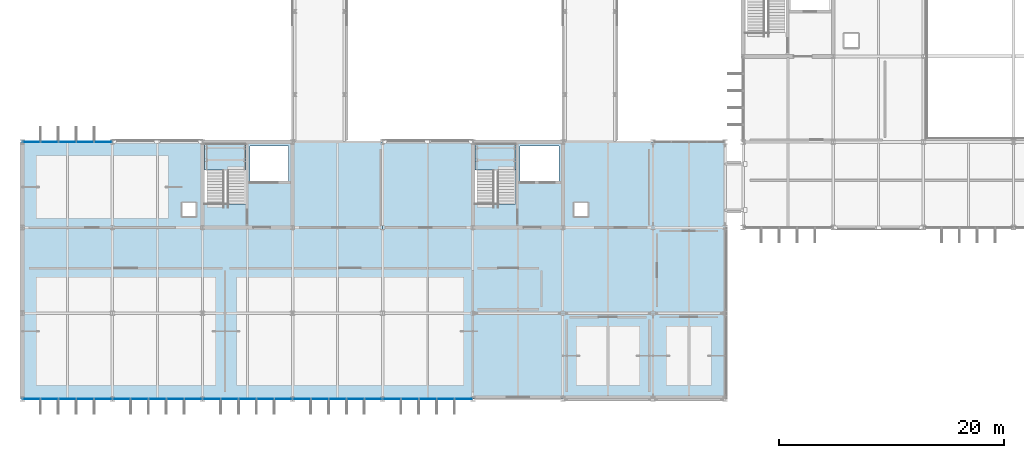
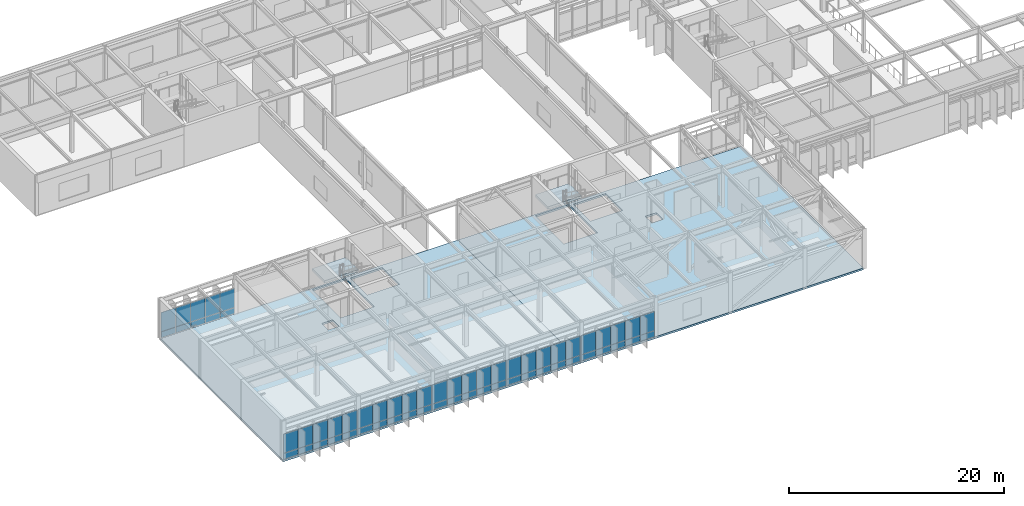
# One storey, part 69 of 104: 60 plates, 4 slabs, 8 elements without a shape of their own.
"""IFC4 building model written with IfcOpenShell, lengths in metres."""

from ifc_helpers import new_model, si_unit, direction, frame, origin, origin_2d, place, context, subcontext, project, spatial, polyline, rectangle, outline, extrude, material, layer, layer_set, type_object, element, aggregate, save


model = new_model("IFC4")

# Units and contexts
model_context = context("Model", 3, precision=1e-05, world=origin(), true_north=direction((0.0, 1.0)))
body_context = subcontext(model_context, "Body", "Model", "MODEL_VIEW")
ifc_project = project(units=[si_unit("LENGTHUNIT", "METRE"), si_unit("AREAUNIT", "SQUARE_METRE"), si_unit("VOLUMEUNIT", "CUBIC_METRE"), si_unit("PLANEANGLEUNIT", "RADIAN"), si_unit("MASSUNIT", "GRAM", prefix="KILO")], contexts=[model_context])

# Site, building, storey
site_placement = place(None, origin())
site = spatial("IfcSite", under=ifc_project, at=site_placement, CompositionType="ELEMENT")
building_placement = place(site_placement, origin())
building = spatial("IfcBuilding", under=site, at=building_placement, Name="Zulena Civic Courthouse", CompositionType="ELEMENT")
storey_placement = place(building_placement, frame((0.0, 0.0, 15.60009765625)))
storey = spatial("IfcBuildingStorey", under=building, at=storey_placement, Name="L03", CompositionType="ELEMENT", Elevation=15.60009765625)

# Curtain wall, plates
ifc_material_1 = material(Name="Double-silver low-E laminated solar-control glass", Category="glass")
curtain_wall_type = type_object("IfcCurtainWallType", Name="CW_7928x3490", PredefinedType="USERDEFINED", material=ifc_material_1)
curtain_wall_1_placement = place(storey_placement, origin())
curtain_wall_1 = element("IfcCurtainWall", 1, at=curtain_wall_1_placement, inside=storey, type_object=curtain_wall_type, Name="cw:V2:L03:1:0", ObjectType="UNITISED CURTAIN WALL", PredefinedType="USERDEFINED")
ifc_material_2 = material(Name="Ceramic-fritted insulated spandrel glass", Category="glass")
ifc_layer_1 = layer(ifc_material_2, 0.0458984375)
ifc_layer_set_1 = layer_set([ifc_layer_1], Name="Ceramic-fritted insulated spandrel glass")
plate_type_1 = type_object("IfcPlateType", Name="CWPanel_Spandrel_46", PredefinedType="CURTAIN_PANEL", material=ifc_layer_set_1)
plate_1_placement = place(storey_placement, frame((4.828857421875, 22.800048828125, 0.06982421875), z_axis=(0.0, 0.0, 1.0), x_axis=(1.0, 0.0, 0.0)))
plate_1 = element("IfcPlate", 2, at=plate_1_placement, type_object=plate_type_1, Name="cw:V2:L03:1:0:panS:0", PredefinedType="CURTAIN_PANEL", context=body_context, shape_type="SweptSolid", body=[
    extrude(rectangle(XDim=1.535888671875, YDim=0.0458984375, at=origin_2d()), origin(), (0.0, 0.0, 1.0), 0.669921875),
])
plate_2_placement = place(storey_placement, frame((6.414306640625, 22.800048828125, 0.06982421875), z_axis=(0.0, 0.0, 1.0), x_axis=(1.0, 0.0, 0.0)))
plate_2 = element("IfcPlate", 3, at=plate_2_placement, type_object=plate_type_1, Name="cw:V2:L03:1:0:panS:1", PredefinedType="CURTAIN_PANEL", context=body_context, shape_type="SweptSolid", body=[
    extrude(rectangle(XDim=1.535888671875, YDim=0.0458984375, at=origin_2d()), origin(), (0.0, 0.0, 1.0), 0.669921875),
])
plate_3_placement = place(storey_placement, frame((8.0, 22.800048828125, 0.06982421875), z_axis=(0.0, 0.0, 1.0), x_axis=(1.0, 0.0, 0.0)))
plate_3 = element("IfcPlate", 4, at=plate_3_placement, type_object=plate_type_1, Name="cw:V2:L03:1:0:panS:2", PredefinedType="CURTAIN_PANEL", context=body_context, shape_type="SweptSolid", body=[
    extrude(rectangle(XDim=1.535888671875, YDim=0.0458984375, at=origin_2d()), origin(), (0.0, 0.0, 1.0), 0.669921875),
])
plate_4_placement = place(storey_placement, frame((9.585693359375, 22.800048828125, 0.06982421875), z_axis=(0.0, 0.0, 1.0), x_axis=(1.0, 0.0, 0.0)))
plate_4 = element("IfcPlate", 5, at=plate_4_placement, type_object=plate_type_1, Name="cw:V2:L03:1:0:panS:3", PredefinedType="CURTAIN_PANEL", context=body_context, shape_type="SweptSolid", body=[
    extrude(rectangle(XDim=1.535888671875, YDim=0.0458984375, at=origin_2d()), origin(), (0.0, 0.0, 1.0), 0.669921875),
])
plate_5_placement = place(storey_placement, frame((11.171142578125, 22.800048828125, 0.06982421875), z_axis=(0.0, 0.0, 1.0), x_axis=(1.0, 0.0, 0.0)))
plate_5 = element("IfcPlate", 6, at=plate_5_placement, type_object=plate_type_1, Name="cw:V2:L03:1:0:panS:4", PredefinedType="CURTAIN_PANEL", context=body_context, shape_type="SweptSolid", body=[
    extrude(rectangle(XDim=1.535888671875, YDim=0.0458984375, at=origin_2d()), origin(), (0.0, 0.0, 1.0), 0.669921875),
])

curtain_wall_2_placement = place(storey_placement, origin())
curtain_wall_2 = element("IfcCurtainWall", 7, at=curtain_wall_2_placement, inside=storey, type_object=curtain_wall_type, Name="cw:V2:L03:3:3", ObjectType="UNITISED CURTAIN WALL", PredefinedType="USERDEFINED")
plate_6_placement = place(storey_placement, frame((43.171142578125, 0.0, 0.06982421875), z_axis=(0.0, 0.0, 1.0), x_axis=(-1.0, 0.0, 0.0)))
plate_6 = element("IfcPlate", 8, at=plate_6_placement, type_object=plate_type_1, Name="cw:V2:L03:3:3:panS:0", PredefinedType="CURTAIN_PANEL", context=body_context, shape_type="SweptSolid", body=[
    extrude(rectangle(XDim=1.535888671875, YDim=0.0458984375, at=origin_2d()), origin(), (0.0, 0.0, 1.0), 0.669921875),
])
plate_7_placement = place(storey_placement, frame((41.585693359375, 0.0, 0.06982421875), z_axis=(0.0, 0.0, 1.0), x_axis=(-1.0, 0.0, 0.0)))
plate_7 = element("IfcPlate", 9, at=plate_7_placement, type_object=plate_type_1, Name="cw:V2:L03:3:3:panS:1", PredefinedType="CURTAIN_PANEL", context=body_context, shape_type="SweptSolid", body=[
    extrude(rectangle(XDim=1.535888671875, YDim=0.0458984375, at=origin_2d()), origin(), (0.0, 0.0, 1.0), 0.669921875),
])
plate_8_placement = place(storey_placement, frame((40.0, 0.0, 0.06982421875), z_axis=(0.0, 0.0, 1.0), x_axis=(-1.0, 0.0, 0.0)))
plate_8 = element("IfcPlate", 10, at=plate_8_placement, type_object=plate_type_1, Name="cw:V2:L03:3:3:panS:2", PredefinedType="CURTAIN_PANEL", context=body_context, shape_type="SweptSolid", body=[
    extrude(rectangle(XDim=1.535888671875, YDim=0.0458984375, at=origin_2d()), origin(), (0.0, 0.0, 1.0), 0.669921875),
])
plate_9_placement = place(storey_placement, frame((38.414306640625, 0.0, 0.06982421875), z_axis=(0.0, 0.0, 1.0), x_axis=(-1.0, 0.0, 0.0)))
plate_9 = element("IfcPlate", 11, at=plate_9_placement, type_object=plate_type_1, Name="cw:V2:L03:3:3:panS:3", PredefinedType="CURTAIN_PANEL", context=body_context, shape_type="SweptSolid", body=[
    extrude(rectangle(XDim=1.535888671875, YDim=0.0458984375, at=origin_2d()), origin(), (0.0, 0.0, 1.0), 0.669921875),
])
plate_10_placement = place(storey_placement, frame((36.828857421875, 0.0, 0.06982421875), z_axis=(0.0, 0.0, 1.0), x_axis=(-1.0, 0.0, 0.0)))
plate_10 = element("IfcPlate", 12, at=plate_10_placement, type_object=plate_type_1, Name="cw:V2:L03:3:3:panS:4", PredefinedType="CURTAIN_PANEL", context=body_context, shape_type="SweptSolid", body=[
    extrude(rectangle(XDim=1.535888671875, YDim=0.0458984375, at=origin_2d()), origin(), (0.0, 0.0, 1.0), 0.669921875),
])

curtain_wall_3_placement = place(storey_placement, origin())
curtain_wall_3 = element("IfcCurtainWall", 13, at=curtain_wall_3_placement, inside=storey, type_object=curtain_wall_type, Name="cw:V2:L03:3:4", ObjectType="UNITISED CURTAIN WALL", PredefinedType="USERDEFINED")
plate_11_placement = place(storey_placement, frame((35.171142578125, 0.0, 0.06982421875), z_axis=(0.0, 0.0, 1.0), x_axis=(-1.0, 0.0, 0.0)))
plate_11 = element("IfcPlate", 14, at=plate_11_placement, type_object=plate_type_1, Name="cw:V2:L03:3:4:panS:0", PredefinedType="CURTAIN_PANEL", context=body_context, shape_type="SweptSolid", body=[
    extrude(rectangle(XDim=1.535888671875, YDim=0.0458984375, at=origin_2d()), origin(), (0.0, 0.0, 1.0), 0.669921875),
])
plate_12_placement = place(storey_placement, frame((33.585693359375, 0.0, 0.06982421875), z_axis=(0.0, 0.0, 1.0), x_axis=(-1.0, 0.0, 0.0)))
plate_12 = element("IfcPlate", 15, at=plate_12_placement, type_object=plate_type_1, Name="cw:V2:L03:3:4:panS:1", PredefinedType="CURTAIN_PANEL", context=body_context, shape_type="SweptSolid", body=[
    extrude(rectangle(XDim=1.535888671875, YDim=0.0458984375, at=origin_2d()), origin(), (0.0, 0.0, 1.0), 0.669921875),
])
plate_13_placement = place(storey_placement, frame((32.0, 0.0, 0.06982421875), z_axis=(0.0, 0.0, 1.0), x_axis=(-1.0, 0.0, 0.0)))
plate_13 = element("IfcPlate", 16, at=plate_13_placement, type_object=plate_type_1, Name="cw:V2:L03:3:4:panS:2", PredefinedType="CURTAIN_PANEL", context=body_context, shape_type="SweptSolid", body=[
    extrude(rectangle(XDim=1.535888671875, YDim=0.0458984375, at=origin_2d()), origin(), (0.0, 0.0, 1.0), 0.669921875),
])
plate_14_placement = place(storey_placement, frame((30.414306640625, 0.0, 0.06982421875), z_axis=(0.0, 0.0, 1.0), x_axis=(-1.0, 0.0, 0.0)))
plate_14 = element("IfcPlate", 17, at=plate_14_placement, type_object=plate_type_1, Name="cw:V2:L03:3:4:panS:3", PredefinedType="CURTAIN_PANEL", context=body_context, shape_type="SweptSolid", body=[
    extrude(rectangle(XDim=1.535888671875, YDim=0.0458984375, at=origin_2d()), origin(), (0.0, 0.0, 1.0), 0.669921875),
])
plate_15_placement = place(storey_placement, frame((28.828857421875, 0.0, 0.06982421875), z_axis=(0.0, 0.0, 1.0), x_axis=(-1.0, 0.0, 0.0)))
plate_15 = element("IfcPlate", 18, at=plate_15_placement, type_object=plate_type_1, Name="cw:V2:L03:3:4:panS:4", PredefinedType="CURTAIN_PANEL", context=body_context, shape_type="SweptSolid", body=[
    extrude(rectangle(XDim=1.535888671875, YDim=0.0458984375, at=origin_2d()), origin(), (0.0, 0.0, 1.0), 0.669921875),
])

curtain_wall_4_placement = place(storey_placement, origin())
curtain_wall_4 = element("IfcCurtainWall", 19, at=curtain_wall_4_placement, inside=storey, type_object=curtain_wall_type, Name="cw:V2:L03:3:5", ObjectType="UNITISED CURTAIN WALL", PredefinedType="USERDEFINED")
plate_16_placement = place(storey_placement, frame((27.171142578125, 0.0, 0.06982421875), z_axis=(0.0, 0.0, 1.0), x_axis=(-1.0, 0.0, 0.0)))
plate_16 = element("IfcPlate", 20, at=plate_16_placement, type_object=plate_type_1, Name="cw:V2:L03:3:5:panS:0", PredefinedType="CURTAIN_PANEL", context=body_context, shape_type="SweptSolid", body=[
    extrude(rectangle(XDim=1.535888671875, YDim=0.0458984375, at=origin_2d()), origin(), (0.0, 0.0, 1.0), 0.669921875),
])
plate_17_placement = place(storey_placement, frame((25.585693359375, 0.0, 0.06982421875), z_axis=(0.0, 0.0, 1.0), x_axis=(-1.0, 0.0, 0.0)))
plate_17 = element("IfcPlate", 21, at=plate_17_placement, type_object=plate_type_1, Name="cw:V2:L03:3:5:panS:1", PredefinedType="CURTAIN_PANEL", context=body_context, shape_type="SweptSolid", body=[
    extrude(rectangle(XDim=1.535888671875, YDim=0.0458984375, at=origin_2d()), origin(), (0.0, 0.0, 1.0), 0.669921875),
])
plate_18_placement = place(storey_placement, frame((24.0, 0.0, 0.06982421875), z_axis=(0.0, 0.0, 1.0), x_axis=(-1.0, 0.0, 0.0)))
plate_18 = element("IfcPlate", 22, at=plate_18_placement, type_object=plate_type_1, Name="cw:V2:L03:3:5:panS:2", PredefinedType="CURTAIN_PANEL", context=body_context, shape_type="SweptSolid", body=[
    extrude(rectangle(XDim=1.535888671875, YDim=0.0458984375, at=origin_2d()), origin(), (0.0, 0.0, 1.0), 0.669921875),
])
plate_19_placement = place(storey_placement, frame((22.414306640625, 0.0, 0.06982421875), z_axis=(0.0, 0.0, 1.0), x_axis=(-1.0, 0.0, 0.0)))
plate_19 = element("IfcPlate", 23, at=plate_19_placement, type_object=plate_type_1, Name="cw:V2:L03:3:5:panS:3", PredefinedType="CURTAIN_PANEL", context=body_context, shape_type="SweptSolid", body=[
    extrude(rectangle(XDim=1.535888671875, YDim=0.0458984375, at=origin_2d()), origin(), (0.0, 0.0, 1.0), 0.669921875),
])
plate_20_placement = place(storey_placement, frame((20.828857421875, 0.0, 0.06982421875), z_axis=(0.0, 0.0, 1.0), x_axis=(-1.0, 0.0, 0.0)))
plate_20 = element("IfcPlate", 24, at=plate_20_placement, type_object=plate_type_1, Name="cw:V2:L03:3:5:panS:4", PredefinedType="CURTAIN_PANEL", context=body_context, shape_type="SweptSolid", body=[
    extrude(rectangle(XDim=1.535888671875, YDim=0.0458984375, at=origin_2d()), origin(), (0.0, 0.0, 1.0), 0.669921875),
])

curtain_wall_5_placement = place(storey_placement, origin())
curtain_wall_5 = element("IfcCurtainWall", 25, at=curtain_wall_5_placement, inside=storey, type_object=curtain_wall_type, Name="cw:V2:L03:3:6", ObjectType="UNITISED CURTAIN WALL", PredefinedType="USERDEFINED")
plate_21_placement = place(storey_placement, frame((19.171142578125, 0.0, 0.06982421875), z_axis=(0.0, 0.0, 1.0), x_axis=(-1.0, 0.0, 0.0)))
plate_21 = element("IfcPlate", 26, at=plate_21_placement, type_object=plate_type_1, Name="cw:V2:L03:3:6:panS:0", PredefinedType="CURTAIN_PANEL", context=body_context, shape_type="SweptSolid", body=[
    extrude(rectangle(XDim=1.535888671875, YDim=0.0458984375, at=origin_2d()), origin(), (0.0, 0.0, 1.0), 0.669921875),
])
plate_22_placement = place(storey_placement, frame((17.585693359375, 0.0, 0.06982421875), z_axis=(0.0, 0.0, 1.0), x_axis=(-1.0, 0.0, 0.0)))
plate_22 = element("IfcPlate", 27, at=plate_22_placement, type_object=plate_type_1, Name="cw:V2:L03:3:6:panS:1", PredefinedType="CURTAIN_PANEL", context=body_context, shape_type="SweptSolid", body=[
    extrude(rectangle(XDim=1.535888671875, YDim=0.0458984375, at=origin_2d()), origin(), (0.0, 0.0, 1.0), 0.669921875),
])
plate_23_placement = place(storey_placement, frame((16.0, 0.0, 0.06982421875), z_axis=(0.0, 0.0, 1.0), x_axis=(-1.0, 0.0, 0.0)))
plate_23 = element("IfcPlate", 28, at=plate_23_placement, type_object=plate_type_1, Name="cw:V2:L03:3:6:panS:2", PredefinedType="CURTAIN_PANEL", context=body_context, shape_type="SweptSolid", body=[
    extrude(rectangle(XDim=1.535888671875, YDim=0.0458984375, at=origin_2d()), origin(), (0.0, 0.0, 1.0), 0.669921875),
])
plate_24_placement = place(storey_placement, frame((14.414306640625, 0.0, 0.06982421875), z_axis=(0.0, 0.0, 1.0), x_axis=(-1.0, 0.0, 0.0)))
plate_24 = element("IfcPlate", 29, at=plate_24_placement, type_object=plate_type_1, Name="cw:V2:L03:3:6:panS:3", PredefinedType="CURTAIN_PANEL", context=body_context, shape_type="SweptSolid", body=[
    extrude(rectangle(XDim=1.535888671875, YDim=0.0458984375, at=origin_2d()), origin(), (0.0, 0.0, 1.0), 0.669921875),
])
plate_25_placement = place(storey_placement, frame((12.828857421875, 0.0, 0.06982421875), z_axis=(0.0, 0.0, 1.0), x_axis=(-1.0, 0.0, 0.0)))
plate_25 = element("IfcPlate", 30, at=plate_25_placement, type_object=plate_type_1, Name="cw:V2:L03:3:6:panS:4", PredefinedType="CURTAIN_PANEL", context=body_context, shape_type="SweptSolid", body=[
    extrude(rectangle(XDim=1.535888671875, YDim=0.0458984375, at=origin_2d()), origin(), (0.0, 0.0, 1.0), 0.669921875),
])

curtain_wall_6_placement = place(storey_placement, origin())
curtain_wall_6 = element("IfcCurtainWall", 31, at=curtain_wall_6_placement, inside=storey, type_object=curtain_wall_type, Name="cw:V2:L03:3:7", ObjectType="UNITISED CURTAIN WALL", PredefinedType="USERDEFINED")
plate_26_placement = place(storey_placement, frame((11.171142578125, 0.0, 0.06982421875), z_axis=(0.0, 0.0, 1.0), x_axis=(-1.0, 0.0, 0.0)))
plate_26 = element("IfcPlate", 32, at=plate_26_placement, type_object=plate_type_1, Name="cw:V2:L03:3:7:panS:0", PredefinedType="CURTAIN_PANEL", context=body_context, shape_type="SweptSolid", body=[
    extrude(rectangle(XDim=1.535888671875, YDim=0.0458984375, at=origin_2d()), origin(), (0.0, 0.0, 1.0), 0.669921875),
])
plate_27_placement = place(storey_placement, frame((9.585693359375, 0.0, 0.06982421875), z_axis=(0.0, 0.0, 1.0), x_axis=(-1.0, 0.0, 0.0)))
plate_27 = element("IfcPlate", 33, at=plate_27_placement, type_object=plate_type_1, Name="cw:V2:L03:3:7:panS:1", PredefinedType="CURTAIN_PANEL", context=body_context, shape_type="SweptSolid", body=[
    extrude(rectangle(XDim=1.535888671875, YDim=0.0458984375, at=origin_2d()), origin(), (0.0, 0.0, 1.0), 0.669921875),
])
plate_28_placement = place(storey_placement, frame((8.0, 0.0, 0.06982421875), z_axis=(0.0, 0.0, 1.0), x_axis=(-1.0, 0.0, 0.0)))
plate_28 = element("IfcPlate", 34, at=plate_28_placement, type_object=plate_type_1, Name="cw:V2:L03:3:7:panS:2", PredefinedType="CURTAIN_PANEL", context=body_context, shape_type="SweptSolid", body=[
    extrude(rectangle(XDim=1.535888671875, YDim=0.0458984375, at=origin_2d()), origin(), (0.0, 0.0, 1.0), 0.669921875),
])
plate_29_placement = place(storey_placement, frame((6.414306640625, 0.0, 0.06982421875), z_axis=(0.0, 0.0, 1.0), x_axis=(-1.0, 0.0, 0.0)))
plate_29 = element("IfcPlate", 35, at=plate_29_placement, type_object=plate_type_1, Name="cw:V2:L03:3:7:panS:3", PredefinedType="CURTAIN_PANEL", context=body_context, shape_type="SweptSolid", body=[
    extrude(rectangle(XDim=1.535888671875, YDim=0.0458984375, at=origin_2d()), origin(), (0.0, 0.0, 1.0), 0.669921875),
])
plate_30_placement = place(storey_placement, frame((4.828857421875, 0.0, 0.06982421875), z_axis=(0.0, 0.0, 1.0), x_axis=(-1.0, 0.0, 0.0)))
plate_30 = element("IfcPlate", 36, at=plate_30_placement, type_object=plate_type_1, Name="cw:V2:L03:3:7:panS:4", PredefinedType="CURTAIN_PANEL", context=body_context, shape_type="SweptSolid", body=[
    extrude(rectangle(XDim=1.535888671875, YDim=0.0458984375, at=origin_2d()), origin(), (0.0, 0.0, 1.0), 0.669921875),
])

# Plate
ifc_layer_2 = layer(ifc_material_1, 0.035888671875)
ifc_layer_set_2 = layer_set([ifc_layer_2], Name="Double-silver low-E laminated solar-control glass")
plate_type_2 = type_object("IfcPlateType", Name="CWPanel_Vision_36", PredefinedType="CURTAIN_PANEL", material=ifc_layer_set_2)
plate_31_placement = place(storey_placement, frame((4.828857421875, 22.800048828125, 0.760009765625), z_axis=(0.0, 0.0, 1.0), x_axis=(1.0, 0.0, 0.0)))
plate_31 = element("IfcPlate", 37, at=plate_31_placement, type_object=plate_type_2, Name="cw:V2:L03:1:0:panV:0", PredefinedType="CURTAIN_PANEL", context=body_context, shape_type="SweptSolid", body=[
    extrude(rectangle(XDim=1.535888671875, YDim=0.035888671875, at=origin_2d()), origin(), (0.0, 0.0, 1.0), 2.169921875),
])

plate_32_placement = place(storey_placement, frame((6.414306640625, 22.800048828125, 0.760009765625), z_axis=(0.0, 0.0, 1.0), x_axis=(1.0, 0.0, 0.0)))
plate_32 = element("IfcPlate", 38, at=plate_32_placement, type_object=plate_type_2, Name="cw:V2:L03:1:0:panV:1", PredefinedType="CURTAIN_PANEL", context=body_context, shape_type="SweptSolid", body=[
    extrude(rectangle(XDim=1.535888671875, YDim=0.035888671875, at=origin_2d()), origin(), (0.0, 0.0, 1.0), 2.169921875),
])

plate_33_placement = place(storey_placement, frame((8.0, 22.800048828125, 0.760009765625), z_axis=(0.0, 0.0, 1.0), x_axis=(1.0, 0.0, 0.0)))
plate_33 = element("IfcPlate", 39, at=plate_33_placement, type_object=plate_type_2, Name="cw:V2:L03:1:0:panV:2", PredefinedType="CURTAIN_PANEL", context=body_context, shape_type="SweptSolid", body=[
    extrude(rectangle(XDim=1.535888671875, YDim=0.035888671875, at=origin_2d()), origin(), (0.0, 0.0, 1.0), 2.169921875),
])

plate_34_placement = place(storey_placement, frame((9.585693359375, 22.800048828125, 0.760009765625), z_axis=(0.0, 0.0, 1.0), x_axis=(1.0, 0.0, 0.0)))
plate_34 = element("IfcPlate", 40, at=plate_34_placement, type_object=plate_type_2, Name="cw:V2:L03:1:0:panV:3", PredefinedType="CURTAIN_PANEL", context=body_context, shape_type="SweptSolid", body=[
    extrude(rectangle(XDim=1.535888671875, YDim=0.035888671875, at=origin_2d()), origin(), (0.0, 0.0, 1.0), 2.169921875),
])

plate_35_placement = place(storey_placement, frame((11.171142578125, 22.800048828125, 0.760009765625), z_axis=(0.0, 0.0, 1.0), x_axis=(1.0, 0.0, 0.0)))
plate_35 = element("IfcPlate", 41, at=plate_35_placement, type_object=plate_type_2, Name="cw:V2:L03:1:0:panV:4", PredefinedType="CURTAIN_PANEL", context=body_context, shape_type="SweptSolid", body=[
    extrude(rectangle(XDim=1.535888671875, YDim=0.035888671875, at=origin_2d()), origin(), (0.0, 0.0, 1.0), 2.169921875),
])

aggregate(curtain_wall_1, [plate_31, plate_1, plate_32, plate_2, plate_33, plate_3, plate_34, plate_4, plate_35, plate_5])

plate_36_placement = place(storey_placement, frame((43.171142578125, 0.0, 0.760009765625), z_axis=(0.0, 0.0, 1.0), x_axis=(-1.0, 0.0, 0.0)))
plate_36 = element("IfcPlate", 42, at=plate_36_placement, type_object=plate_type_2, Name="cw:V2:L03:3:3:panV:0", PredefinedType="CURTAIN_PANEL", context=body_context, shape_type="SweptSolid", body=[
    extrude(rectangle(XDim=1.535888671875, YDim=0.035888671875, at=origin_2d()), origin(), (0.0, 0.0, 1.0), 2.169921875),
])

plate_37_placement = place(storey_placement, frame((41.585693359375, 0.0, 0.760009765625), z_axis=(0.0, 0.0, 1.0), x_axis=(-1.0, 0.0, 0.0)))
plate_37 = element("IfcPlate", 43, at=plate_37_placement, type_object=plate_type_2, Name="cw:V2:L03:3:3:panV:1", PredefinedType="CURTAIN_PANEL", context=body_context, shape_type="SweptSolid", body=[
    extrude(rectangle(XDim=1.535888671875, YDim=0.035888671875, at=origin_2d()), origin(), (0.0, 0.0, 1.0), 2.169921875),
])

plate_38_placement = place(storey_placement, frame((40.0, 0.0, 0.760009765625), z_axis=(0.0, 0.0, 1.0), x_axis=(-1.0, 0.0, 0.0)))
plate_38 = element("IfcPlate", 44, at=plate_38_placement, type_object=plate_type_2, Name="cw:V2:L03:3:3:panV:2", PredefinedType="CURTAIN_PANEL", context=body_context, shape_type="SweptSolid", body=[
    extrude(rectangle(XDim=1.535888671875, YDim=0.035888671875, at=origin_2d()), origin(), (0.0, 0.0, 1.0), 2.169921875),
])

plate_39_placement = place(storey_placement, frame((38.414306640625, 0.0, 0.760009765625), z_axis=(0.0, 0.0, 1.0), x_axis=(-1.0, 0.0, 0.0)))
plate_39 = element("IfcPlate", 45, at=plate_39_placement, type_object=plate_type_2, Name="cw:V2:L03:3:3:panV:3", PredefinedType="CURTAIN_PANEL", context=body_context, shape_type="SweptSolid", body=[
    extrude(rectangle(XDim=1.535888671875, YDim=0.035888671875, at=origin_2d()), origin(), (0.0, 0.0, 1.0), 2.169921875),
])

plate_40_placement = place(storey_placement, frame((36.828857421875, 0.0, 0.760009765625), z_axis=(0.0, 0.0, 1.0), x_axis=(-1.0, 0.0, 0.0)))
plate_40 = element("IfcPlate", 46, at=plate_40_placement, type_object=plate_type_2, Name="cw:V2:L03:3:3:panV:4", PredefinedType="CURTAIN_PANEL", context=body_context, shape_type="SweptSolid", body=[
    extrude(rectangle(XDim=1.535888671875, YDim=0.035888671875, at=origin_2d()), origin(), (0.0, 0.0, 1.0), 2.169921875),
])

aggregate(curtain_wall_2, [plate_36, plate_6, plate_37, plate_7, plate_38, plate_8, plate_39, plate_9, plate_40, plate_10])

plate_41_placement = place(storey_placement, frame((35.171142578125, 0.0, 0.760009765625), z_axis=(0.0, 0.0, 1.0), x_axis=(-1.0, 0.0, 0.0)))
plate_41 = element("IfcPlate", 47, at=plate_41_placement, type_object=plate_type_2, Name="cw:V2:L03:3:4:panV:0", PredefinedType="CURTAIN_PANEL", context=body_context, shape_type="SweptSolid", body=[
    extrude(rectangle(XDim=1.535888671875, YDim=0.035888671875, at=origin_2d()), origin(), (0.0, 0.0, 1.0), 2.169921875),
])

plate_42_placement = place(storey_placement, frame((33.585693359375, 0.0, 0.760009765625), z_axis=(0.0, 0.0, 1.0), x_axis=(-1.0, 0.0, 0.0)))
plate_42 = element("IfcPlate", 48, at=plate_42_placement, type_object=plate_type_2, Name="cw:V2:L03:3:4:panV:1", PredefinedType="CURTAIN_PANEL", context=body_context, shape_type="SweptSolid", body=[
    extrude(rectangle(XDim=1.535888671875, YDim=0.035888671875, at=origin_2d()), origin(), (0.0, 0.0, 1.0), 2.169921875),
])

plate_43_placement = place(storey_placement, frame((32.0, 0.0, 0.760009765625), z_axis=(0.0, 0.0, 1.0), x_axis=(-1.0, 0.0, 0.0)))
plate_43 = element("IfcPlate", 49, at=plate_43_placement, type_object=plate_type_2, Name="cw:V2:L03:3:4:panV:2", PredefinedType="CURTAIN_PANEL", context=body_context, shape_type="SweptSolid", body=[
    extrude(rectangle(XDim=1.535888671875, YDim=0.035888671875, at=origin_2d()), origin(), (0.0, 0.0, 1.0), 2.169921875),
])

plate_44_placement = place(storey_placement, frame((30.414306640625, 0.0, 0.760009765625), z_axis=(0.0, 0.0, 1.0), x_axis=(-1.0, 0.0, 0.0)))
plate_44 = element("IfcPlate", 50, at=plate_44_placement, type_object=plate_type_2, Name="cw:V2:L03:3:4:panV:3", PredefinedType="CURTAIN_PANEL", context=body_context, shape_type="SweptSolid", body=[
    extrude(rectangle(XDim=1.535888671875, YDim=0.035888671875, at=origin_2d()), origin(), (0.0, 0.0, 1.0), 2.169921875),
])

plate_45_placement = place(storey_placement, frame((28.828857421875, 0.0, 0.760009765625), z_axis=(0.0, 0.0, 1.0), x_axis=(-1.0, 0.0, 0.0)))
plate_45 = element("IfcPlate", 51, at=plate_45_placement, type_object=plate_type_2, Name="cw:V2:L03:3:4:panV:4", PredefinedType="CURTAIN_PANEL", context=body_context, shape_type="SweptSolid", body=[
    extrude(rectangle(XDim=1.535888671875, YDim=0.035888671875, at=origin_2d()), origin(), (0.0, 0.0, 1.0), 2.169921875),
])

aggregate(curtain_wall_3, [plate_41, plate_11, plate_42, plate_12, plate_43, plate_13, plate_44, plate_14, plate_45, plate_15])

plate_46_placement = place(storey_placement, frame((27.171142578125, 0.0, 0.760009765625), z_axis=(0.0, 0.0, 1.0), x_axis=(-1.0, 0.0, 0.0)))
plate_46 = element("IfcPlate", 52, at=plate_46_placement, type_object=plate_type_2, Name="cw:V2:L03:3:5:panV:0", PredefinedType="CURTAIN_PANEL", context=body_context, shape_type="SweptSolid", body=[
    extrude(rectangle(XDim=1.535888671875, YDim=0.035888671875, at=origin_2d()), origin(), (0.0, 0.0, 1.0), 2.169921875),
])

plate_47_placement = place(storey_placement, frame((25.585693359375, 0.0, 0.760009765625), z_axis=(0.0, 0.0, 1.0), x_axis=(-1.0, 0.0, 0.0)))
plate_47 = element("IfcPlate", 53, at=plate_47_placement, type_object=plate_type_2, Name="cw:V2:L03:3:5:panV:1", PredefinedType="CURTAIN_PANEL", context=body_context, shape_type="SweptSolid", body=[
    extrude(rectangle(XDim=1.535888671875, YDim=0.035888671875, at=origin_2d()), origin(), (0.0, 0.0, 1.0), 2.169921875),
])

plate_48_placement = place(storey_placement, frame((24.0, 0.0, 0.760009765625), z_axis=(0.0, 0.0, 1.0), x_axis=(-1.0, 0.0, 0.0)))
plate_48 = element("IfcPlate", 54, at=plate_48_placement, type_object=plate_type_2, Name="cw:V2:L03:3:5:panV:2", PredefinedType="CURTAIN_PANEL", context=body_context, shape_type="SweptSolid", body=[
    extrude(rectangle(XDim=1.535888671875, YDim=0.035888671875, at=origin_2d()), origin(), (0.0, 0.0, 1.0), 2.169921875),
])

plate_49_placement = place(storey_placement, frame((22.414306640625, 0.0, 0.760009765625), z_axis=(0.0, 0.0, 1.0), x_axis=(-1.0, 0.0, 0.0)))
plate_49 = element("IfcPlate", 55, at=plate_49_placement, type_object=plate_type_2, Name="cw:V2:L03:3:5:panV:3", PredefinedType="CURTAIN_PANEL", context=body_context, shape_type="SweptSolid", body=[
    extrude(rectangle(XDim=1.535888671875, YDim=0.035888671875, at=origin_2d()), origin(), (0.0, 0.0, 1.0), 2.169921875),
])

plate_50_placement = place(storey_placement, frame((20.828857421875, 0.0, 0.760009765625), z_axis=(0.0, 0.0, 1.0), x_axis=(-1.0, 0.0, 0.0)))
plate_50 = element("IfcPlate", 56, at=plate_50_placement, type_object=plate_type_2, Name="cw:V2:L03:3:5:panV:4", PredefinedType="CURTAIN_PANEL", context=body_context, shape_type="SweptSolid", body=[
    extrude(rectangle(XDim=1.535888671875, YDim=0.035888671875, at=origin_2d()), origin(), (0.0, 0.0, 1.0), 2.169921875),
])

aggregate(curtain_wall_4, [plate_46, plate_16, plate_47, plate_17, plate_48, plate_18, plate_49, plate_19, plate_50, plate_20])

plate_51_placement = place(storey_placement, frame((19.171142578125, 0.0, 0.760009765625), z_axis=(0.0, 0.0, 1.0), x_axis=(-1.0, 0.0, 0.0)))
plate_51 = element("IfcPlate", 57, at=plate_51_placement, type_object=plate_type_2, Name="cw:V2:L03:3:6:panV:0", PredefinedType="CURTAIN_PANEL", context=body_context, shape_type="SweptSolid", body=[
    extrude(rectangle(XDim=1.535888671875, YDim=0.035888671875, at=origin_2d()), origin(), (0.0, 0.0, 1.0), 2.169921875),
])

plate_52_placement = place(storey_placement, frame((17.585693359375, 0.0, 0.760009765625), z_axis=(0.0, 0.0, 1.0), x_axis=(-1.0, 0.0, 0.0)))
plate_52 = element("IfcPlate", 58, at=plate_52_placement, type_object=plate_type_2, Name="cw:V2:L03:3:6:panV:1", PredefinedType="CURTAIN_PANEL", context=body_context, shape_type="SweptSolid", body=[
    extrude(rectangle(XDim=1.535888671875, YDim=0.035888671875, at=origin_2d()), origin(), (0.0, 0.0, 1.0), 2.169921875),
])

plate_53_placement = place(storey_placement, frame((16.0, 0.0, 0.760009765625), z_axis=(0.0, 0.0, 1.0), x_axis=(-1.0, 0.0, 0.0)))
plate_53 = element("IfcPlate", 59, at=plate_53_placement, type_object=plate_type_2, Name="cw:V2:L03:3:6:panV:2", PredefinedType="CURTAIN_PANEL", context=body_context, shape_type="SweptSolid", body=[
    extrude(rectangle(XDim=1.535888671875, YDim=0.035888671875, at=origin_2d()), origin(), (0.0, 0.0, 1.0), 2.169921875),
])

plate_54_placement = place(storey_placement, frame((14.414306640625, 0.0, 0.760009765625), z_axis=(0.0, 0.0, 1.0), x_axis=(-1.0, 0.0, 0.0)))
plate_54 = element("IfcPlate", 60, at=plate_54_placement, type_object=plate_type_2, Name="cw:V2:L03:3:6:panV:3", PredefinedType="CURTAIN_PANEL", context=body_context, shape_type="SweptSolid", body=[
    extrude(rectangle(XDim=1.535888671875, YDim=0.035888671875, at=origin_2d()), origin(), (0.0, 0.0, 1.0), 2.169921875),
])

plate_55_placement = place(storey_placement, frame((12.828857421875, 0.0, 0.760009765625), z_axis=(0.0, 0.0, 1.0), x_axis=(-1.0, 0.0, 0.0)))
plate_55 = element("IfcPlate", 61, at=plate_55_placement, type_object=plate_type_2, Name="cw:V2:L03:3:6:panV:4", PredefinedType="CURTAIN_PANEL", context=body_context, shape_type="SweptSolid", body=[
    extrude(rectangle(XDim=1.535888671875, YDim=0.035888671875, at=origin_2d()), origin(), (0.0, 0.0, 1.0), 2.169921875),
])

aggregate(curtain_wall_5, [plate_51, plate_21, plate_52, plate_22, plate_53, plate_23, plate_54, plate_24, plate_55, plate_25])

plate_56_placement = place(storey_placement, frame((11.171142578125, 0.0, 0.760009765625), z_axis=(0.0, 0.0, 1.0), x_axis=(-1.0, 0.0, 0.0)))
plate_56 = element("IfcPlate", 62, at=plate_56_placement, type_object=plate_type_2, Name="cw:V2:L03:3:7:panV:0", PredefinedType="CURTAIN_PANEL", context=body_context, shape_type="SweptSolid", body=[
    extrude(rectangle(XDim=1.535888671875, YDim=0.035888671875, at=origin_2d()), origin(), (0.0, 0.0, 1.0), 2.169921875),
])

plate_57_placement = place(storey_placement, frame((9.585693359375, 0.0, 0.760009765625), z_axis=(0.0, 0.0, 1.0), x_axis=(-1.0, 0.0, 0.0)))
plate_57 = element("IfcPlate", 63, at=plate_57_placement, type_object=plate_type_2, Name="cw:V2:L03:3:7:panV:1", PredefinedType="CURTAIN_PANEL", context=body_context, shape_type="SweptSolid", body=[
    extrude(rectangle(XDim=1.535888671875, YDim=0.035888671875, at=origin_2d()), origin(), (0.0, 0.0, 1.0), 2.169921875),
])

plate_58_placement = place(storey_placement, frame((8.0, 0.0, 0.760009765625), z_axis=(0.0, 0.0, 1.0), x_axis=(-1.0, 0.0, 0.0)))
plate_58 = element("IfcPlate", 64, at=plate_58_placement, type_object=plate_type_2, Name="cw:V2:L03:3:7:panV:2", PredefinedType="CURTAIN_PANEL", context=body_context, shape_type="SweptSolid", body=[
    extrude(rectangle(XDim=1.535888671875, YDim=0.035888671875, at=origin_2d()), origin(), (0.0, 0.0, 1.0), 2.169921875),
])

plate_59_placement = place(storey_placement, frame((6.414306640625, 0.0, 0.760009765625), z_axis=(0.0, 0.0, 1.0), x_axis=(-1.0, 0.0, 0.0)))
plate_59 = element("IfcPlate", 65, at=plate_59_placement, type_object=plate_type_2, Name="cw:V2:L03:3:7:panV:3", PredefinedType="CURTAIN_PANEL", context=body_context, shape_type="SweptSolid", body=[
    extrude(rectangle(XDim=1.535888671875, YDim=0.035888671875, at=origin_2d()), origin(), (0.0, 0.0, 1.0), 2.169921875),
])

plate_60_placement = place(storey_placement, frame((4.828857421875, 0.0, 0.760009765625), z_axis=(0.0, 0.0, 1.0), x_axis=(-1.0, 0.0, 0.0)))
plate_60 = element("IfcPlate", 66, at=plate_60_placement, type_object=plate_type_2, Name="cw:V2:L03:3:7:panV:4", PredefinedType="CURTAIN_PANEL", context=body_context, shape_type="SweptSolid", body=[
    extrude(rectangle(XDim=1.535888671875, YDim=0.035888671875, at=origin_2d()), origin(), (0.0, 0.0, 1.0), 2.169921875),
])

aggregate(curtain_wall_6, [plate_56, plate_26, plate_57, plate_27, plate_58, plate_28, plate_59, plate_29, plate_60, plate_30])

# Slabs
ifc_material_3 = material(Name="Concrete C35/45", Category="concrete")
ifc_layer_3 = layer(ifc_material_3, 0.2099609375)
ifc_layer_set_3 = layer_set([ifc_layer_3], Name="Concrete C35/45")
slab_type_1 = type_object("IfcSlabType", Name="FloorSlab_210", PredefinedType="FLOOR", material=ifc_layer_set_3)
slab_1_placement = place(storey_placement, frame((0.0, 0.0, -0.210205078125)))
element("IfcSlab", 67, at=slab_1_placement, inside=storey, type_object=slab_type_1, Name="slab:V2:L03_1", PredefinedType="FLOOR", context=body_context, shape_type="SweptSolid", body=[
    extrude(outline(polyline([(4.0, 0.0), (4.0, 22.800048828125), (36.0, 22.800048828125), (36.0, 0.0), (4.0, 0.0)]), holes=[polyline([(20.18994140625, 22.610107421875), (20.18994140625, 17.320068359375), (23.81005859375, 17.320068359375), (23.81005859375, 22.610107421875), (20.18994140625, 22.610107421875)]), polyline([(27.64990234375, 22.449951171875), (24.199951171875, 22.449951171875), (24.199951171875, 19.300048828125), (27.64990234375, 19.300048828125), (27.64990234375, 22.449951171875)]), polyline([(18.199951171875, 17.39990234375), (18.199951171875, 16.199951171875), (19.39990234375, 16.199951171875), (19.39990234375, 17.39990234375), (18.199951171875, 17.39990234375)])]), origin(), (0.0, 0.0, 1.0), 0.210205078125),
])
slab_2_placement = place(storey_placement, frame((0.0, 0.0, -0.210205078125)))
element("IfcSlab", 68, at=slab_2_placement, inside=storey, type_object=slab_type_1, Name="slab:V2:L03_2", PredefinedType="FLOOR", context=body_context, shape_type="SweptSolid", body=[
    extrude(outline(polyline([(66.39990234375, 0.0), (36.0, 0.0), (36.0, 22.800048828125), (66.39990234375, 22.800048828125), (66.39990234375, 0.0)]), holes=[polyline([(47.81005859375, 17.320068359375), (47.81005859375, 22.610107421875), (44.18994140625, 22.610107421875), (44.18994140625, 17.320068359375), (47.81005859375, 17.320068359375)]), polyline([(48.199951171875, 19.300048828125), (51.64990234375, 19.300048828125), (51.64990234375, 22.449951171875), (48.199951171875, 22.449951171875), (48.199951171875, 19.300048828125)]), polyline([(54.199951171875, 17.39990234375), (53.0, 17.39990234375), (53.0, 16.199951171875), (54.199951171875, 16.199951171875), (54.199951171875, 17.39990234375)])]), origin(), (0.0, 0.0, 1.0), 0.210205078125),
])

# Stair, slab
ifc_material_4 = material(Name="Precast concrete C40/50", Category="concrete")
stair_type = type_object("IfcStairType", Name="HalfTurnStair_4800", PredefinedType="HALF_TURN_STAIR", material=ifc_material_4)
stair_1_placement = place(storey_placement, origin())
stair_1 = element("IfcStair", 69, at=stair_1_placement, inside=storey, type_object=stair_type, Name="stair:K2A:L03", PredefinedType="HALF_TURN_STAIR")
ifc_layer_4 = layer(ifc_material_4, 0.280029296875)
ifc_layer_set_4 = layer_set([ifc_layer_4], Name="Precast concrete C40/50")
slab_type_2 = type_object("IfcSlabType", Name="StairLandingSlab_280", PredefinedType="LANDING", material=ifc_layer_set_4)
slab_3_placement = place(storey_placement, frame((0.0, 0.0, 2.119873046875)))
slab_3 = element("IfcSlab", 70, at=slab_3_placement, type_object=slab_type_2, Name="stair:K2A:L03:LND", PredefinedType="LANDING", context=body_context, shape_type="SweptSolid", body=[
    extrude(outline(polyline([(20.179931640625, 20.294677734375), (23.820068359375, 20.294677734375), (23.820068359375, 22.6201171875), (20.179931640625, 22.6201171875), (20.179931640625, 20.294677734375)])), origin(), (0.0, 0.0, 1.0), 0.280029296875),
])
aggregate(stair_1, [slab_3])

stair_2_placement = place(storey_placement, origin())
stair_2 = element("IfcStair", 71, at=stair_2_placement, inside=storey, type_object=stair_type, Name="stair:K2B:L03", PredefinedType="HALF_TURN_STAIR")
slab_4_placement = place(storey_placement, frame((0.0, 0.0, 2.119873046875)))
slab_4 = element("IfcSlab", 72, at=slab_4_placement, type_object=slab_type_2, Name="stair:K2B:L03:LND", PredefinedType="LANDING", context=body_context, shape_type="SweptSolid", body=[
    extrude(outline(polyline([(44.179931640625, 20.294677734375), (47.820068359375, 20.294677734375), (47.820068359375, 22.6201171875), (44.179931640625, 22.6201171875), (44.179931640625, 20.294677734375)])), origin(), (0.0, 0.0, 1.0), 0.280029296875),
])
aggregate(stair_2, [slab_4])

save(model, "model.ifc")
